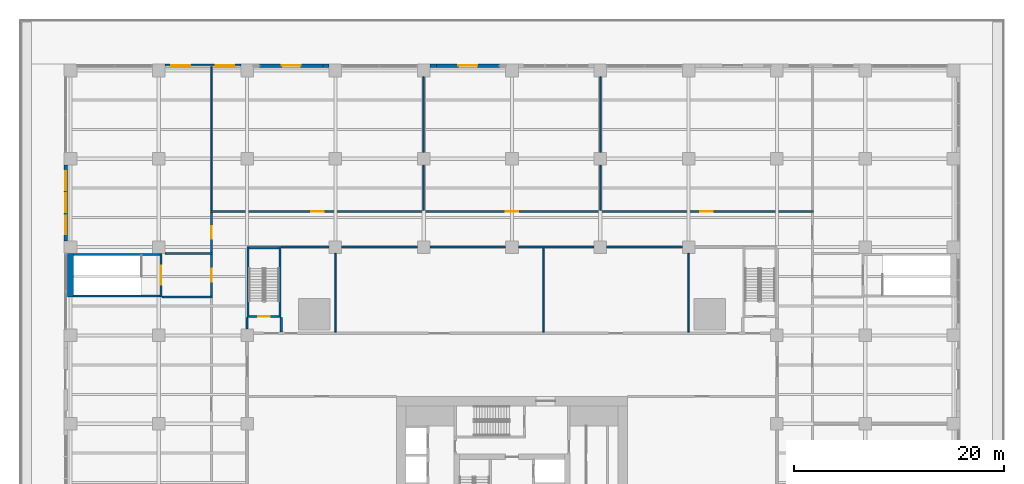
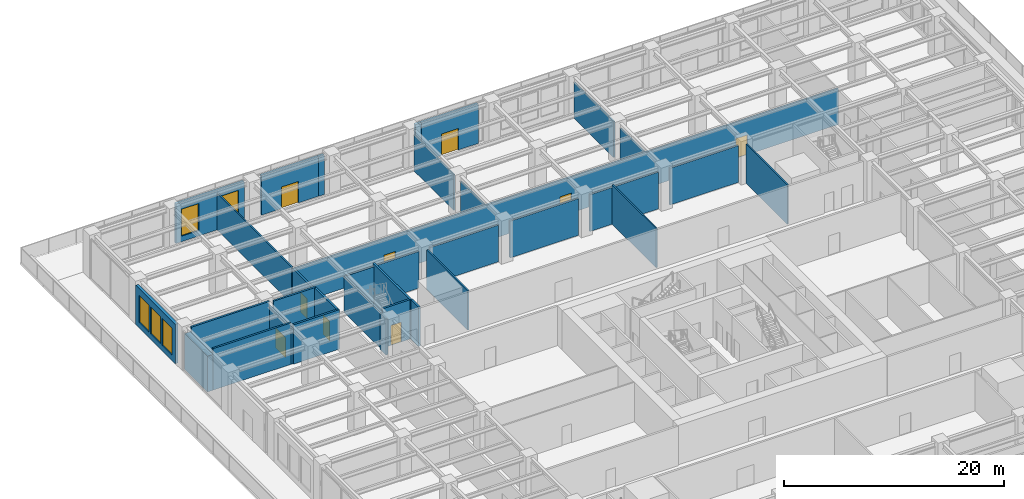
# One storey, part 43 of 53: 34 walls, 9 doors, 5 windows, 14 openings.
"""IFC4 building model written with IfcOpenShell, lengths in metres."""

from ifc_helpers import new_model, si_unit, direction, frame, frame_2d, origin, place, context, subcontext, project, spatial, rectangle, extrude, material, layer, layer_set, type_object, element, fill, save


model = new_model("IFC4")

# Units and contexts
model_context = context("Model", 3, precision=1e-05, world=origin(), true_north=direction((0.0, 1.0)))
body_context = subcontext(model_context, "Body", "Model", "MODEL_VIEW")
ifc_project = project(units=[si_unit("LENGTHUNIT", "METRE"), si_unit("AREAUNIT", "SQUARE_METRE"), si_unit("VOLUMEUNIT", "CUBIC_METRE"), si_unit("PLANEANGLEUNIT", "RADIAN"), si_unit("MASSUNIT", "GRAM", prefix="KILO")], contexts=[model_context])

# Site, building, storey
site_placement = place(None, origin())
site = spatial("IfcSite", under=ifc_project, at=site_placement, CompositionType="ELEMENT")
building_placement = place(site_placement, origin())
building = spatial("IfcBuilding", under=site, at=building_placement, Name="Khepri Terraces", CompositionType="ELEMENT")
storey_placement = place(building_placement, frame((0.0, 0.0, 7.199951171875)))
storey = spatial("IfcBuildingStorey", under=building, at=storey_placement, Name="L01", CompositionType="ELEMENT", Elevation=7.199951171875)

# Wall, opening, door
ifc_material_1 = material(Name="Precast concrete C50/60 warm stone", Category="masonry")
ifc_layer_1 = layer(ifc_material_1, 0.300048828125, Name="Precast concrete C50/60 warm stone", Category="masonry")
ifc_layer_set_1 = layer_set([ifc_layer_1], Name="Precast concrete C50/60 warm stone")
wall_type_1 = type_object("IfcWallType", Name="WL-EXT-PRECAST-300", PredefinedType="STANDARD", material=ifc_layer_set_1)
wall_1_placement = place(storey_placement, frame((-1.199951171875, 42.449951171875, 0.0), z_axis=(0.0, 0.0, 1.0), x_axis=(-1.0, 0.0, 0.0)))
wall_1 = element("IfcWall", 1, at=wall_1_placement, inside=storey, type_object=wall_type_1, Name="External wall L01 N", PredefinedType="STANDARD", context=body_context, shape_type="SweptSolid", body=[
    extrude(rectangle(XDim=6.0, YDim=0.300048828125, at=frame_2d((3.0, 0.0))), origin(), (0.0, 0.0, 1.0), 4.380126953125),
])
opening_1_placement = place(wall_1_placement, frame((2.10009765625, 0.0, 0.0)))
opening_1 = element("IfcOpeningElement", 2, at=opening_1_placement, cuts=wall_1, Name="Opening ED-L01-09", PredefinedType="OPENING", context=body_context, shape_type="SweptSolid", body=[
    extrude(rectangle(XDim=1.800048828125, YDim=2.39990234375, at=frame_2d((0.89990234375, 1.199951171875))), frame((0.0, 0.16015625, 0.0), z_axis=(0.0, -1.0, 0.0), x_axis=(1.0, 0.0, 0.0)), (0.0, 0.0, 1.0), 0.320068359375),
])
ifc_material_2 = material(Name="Anodised aluminium bronze glazed door", Category="aluminium")
door_type_1 = type_object("IfcDoorType", Name="DR-BAL-SLIDE-1800x2400", OperationType="NOTDEFINED", PredefinedType="DOOR", material=ifc_material_2)
door_1_placement = place(opening_1_placement, origin())
door_1 = element("IfcDoor", 3, at=door_1_placement, inside=storey, type_object=door_type_1, Name="Balcony door L01 N", OperationType="SLIDING_TO_LEFT", OverallHeight=2.39990234375, OverallWidth=1.800048828125, PredefinedType="DOOR", context=body_context, shape_type="SweptSolid", body=[
    extrude(rectangle(XDim=1.800048828125, YDim=2.39990234375, at=frame_2d((0.89990234375, 1.199951171875))), frame((0.0, 0.02490234375, 0.0), z_axis=(0.0, -1.0, 0.0), x_axis=(1.0, 0.0, 0.0)), (0.0, 0.0, 1.0), 0.050048828125),
])
fill(opening_1, door_1)

# Walls
for number, where, z_axis, x_axis, name in (
    (4, (-7.199951171875, 42.449951171875, 0.0), (0.0, 0.0, 1.0), (-1.0, 0.0, 0.0), "External wall L01 N"),
    (5, (-17.39990234375, 42.449951171875, 0.0), (0.0, 0.0, 1.0), (-1.0, 0.0, 0.0), "External wall L01 N"),
):
    element("IfcWall", number, at=place(storey_placement, frame(where, z_axis=z_axis, x_axis=x_axis)), inside=storey, type_object=wall_type_1, Name=name, PredefinedType="STANDARD", context=body_context, shape_type="SweptSolid", body=[
        extrude(rectangle(XDim=0.60009765625, YDim=0.300048828125, at=frame_2d((0.300048828125, 0.0))), origin(), (0.0, 0.0, 1.0), 4.380126953125),
    ])

# Wall, opening, door
wall_2_placement = place(storey_placement, frame((-18.0, 42.449951171875, 0.0), z_axis=(0.0, 0.0, 1.0), x_axis=(-1.0, 0.0, 0.0)))
wall_2 = element("IfcWall", 6, at=wall_2_placement, inside=storey, type_object=wall_type_1, Name="External wall L01 N", PredefinedType="STANDARD", context=body_context, shape_type="SweptSolid", body=[
    extrude(rectangle(XDim=6.0, YDim=0.300048828125, at=frame_2d((3.0, 0.0))), origin(), (0.0, 0.0, 1.0), 4.380126953125),
])
opening_2_placement = place(wall_2_placement, frame((2.10009765625, 0.0, 0.0)))
opening_2 = element("IfcOpeningElement", 7, at=opening_2_placement, cuts=wall_2, Name="Opening ED-L01-10", PredefinedType="OPENING", context=body_context, shape_type="SweptSolid", body=[
    extrude(rectangle(XDim=1.800048828125, YDim=2.39990234375, at=frame_2d((0.89990234375, 1.199951171875))), frame((0.0, 0.16015625, 0.0), z_axis=(0.0, -1.0, 0.0), x_axis=(1.0, 0.0, 0.0)), (0.0, 0.0, 1.0), 0.320068359375),
])
door_2_placement = place(opening_2_placement, origin())
door_2 = element("IfcDoor", 8, at=door_2_placement, inside=storey, type_object=door_type_1, Name="Balcony door L01 N", OperationType="SLIDING_TO_LEFT", OverallHeight=2.39990234375, OverallWidth=1.800048828125, PredefinedType="DOOR", context=body_context, shape_type="SweptSolid", body=[
    extrude(rectangle(XDim=1.800048828125, YDim=2.39990234375, at=frame_2d((0.89990234375, 1.199951171875))), frame((0.0, 0.02490234375, 0.0), z_axis=(0.0, -1.0, 0.0), x_axis=(1.0, 0.0, 0.0)), (0.0, 0.0, 1.0), 0.050048828125),
])
fill(opening_2, door_2)

# Wall, openings, windows
wall_3_placement = place(storey_placement, frame((-25.800048828125, 42.449951171875, 0.0), z_axis=(0.0, 0.0, 1.0), x_axis=(-1.0, 0.0, 0.0)))
wall_3 = element("IfcWall", 9, at=wall_3_placement, inside=storey, type_object=wall_type_1, Name="External wall L01 N", PredefinedType="STANDARD", context=body_context, shape_type="SweptSolid", body=[
    extrude(rectangle(XDim=7.199951171875, YDim=0.300048828125, at=frame_2d((3.60009765625, 0.0))), origin(), (0.0, 0.0, 1.0), 4.380126953125),
])
opening_3_placement = place(wall_3_placement, frame((0.60009765625, 0.0, 0.60009765625)))
opening_3 = element("IfcOpeningElement", 10, at=opening_3_placement, cuts=wall_3, Name="Opening WP1", PredefinedType="OPENING", context=body_context, shape_type="SweptSolid", body=[
    extrude(rectangle(XDim=1.800048828125, YDim=3.0, at=frame_2d((0.89990234375, 1.5))), frame((0.0, 0.16015625, 0.0), z_axis=(0.0, -1.0, 0.0), x_axis=(1.0, 0.0, 0.0)), (0.0, 0.0, 1.0), 0.320068359375),
])
opening_4_placement = place(wall_3_placement, frame((4.800048828125, 0.0, 0.60009765625)))
opening_4 = element("IfcOpeningElement", 11, at=opening_4_placement, cuts=wall_3, Name="Opening WP1", PredefinedType="OPENING", context=body_context, shape_type="SweptSolid", body=[
    extrude(rectangle(XDim=1.800048828125, YDim=3.0, at=frame_2d((0.89990234375, 1.5))), frame((0.0, 0.16015625, 0.0), z_axis=(0.0, -1.0, 0.0), x_axis=(1.0, 0.0, 0.0)), (0.0, 0.0, 1.0), 0.320068359375),
])
ifc_material_3 = material(Name="Clear glass", Category="glass")
window_type = type_object("IfcWindowType", Name="WIN-POD-1800x3000", PartitioningType="SINGLE_PANEL", PredefinedType="WINDOW", material=ifc_material_3)
window_1_placement = place(opening_3_placement, origin())
window_1 = element("IfcWindow", 12, at=window_1_placement, inside=storey, type_object=window_type, Name="Window L01 N", OverallHeight=3.0, OverallWidth=1.800048828125, PartitioningType="SINGLE_PANEL", PredefinedType="WINDOW", context=body_context, shape_type="SweptSolid", body=[
    extrude(rectangle(XDim=1.800048828125, YDim=3.0, at=frame_2d((0.89990234375, 1.5))), frame((0.0, 0.030029296875, 0.0), z_axis=(0.0, -1.0, 0.0), x_axis=(1.0, 0.0, 0.0)), (0.0, 0.0, 1.0), 0.06005859375),
])
fill(opening_3, window_1)
window_2_placement = place(opening_4_placement, origin())
window_2 = element("IfcWindow", 13, at=window_2_placement, inside=storey, type_object=window_type, Name="Window L01 N", OverallHeight=3.0, OverallWidth=1.800048828125, PartitioningType="SINGLE_PANEL", PredefinedType="WINDOW", context=body_context, shape_type="SweptSolid", body=[
    extrude(rectangle(XDim=1.800048828125, YDim=3.0, at=frame_2d((0.89990234375, 1.5))), frame((0.0, 0.030029296875, 0.0), z_axis=(0.0, -1.0, 0.0), x_axis=(1.0, 0.0, 0.0)), (0.0, 0.0, 1.0), 0.06005859375),
])
fill(opening_4, window_2)

wall_4_placement = place(storey_placement, frame((-42.449951171875, 33.0, 0.0), z_axis=(0.0, 0.0, 1.0), x_axis=(0.0, -1.0, 0.0)))
wall_4 = element("IfcWall", 14, at=wall_4_placement, inside=storey, type_object=wall_type_1, Name="External wall L01 W", PredefinedType="STANDARD", context=body_context, shape_type="SweptSolid", body=[
    extrude(rectangle(XDim=7.199951171875, YDim=0.300048828125, at=frame_2d((3.60009765625, 0.0))), origin(), (0.0, 0.0, 1.0), 4.380126953125),
])
opening_5_placement = place(wall_4_placement, frame((0.60009765625, 0.0, 0.60009765625)))
opening_5 = element("IfcOpeningElement", 15, at=opening_5_placement, cuts=wall_4, Name="Opening WP1", PredefinedType="OPENING", context=body_context, shape_type="SweptSolid", body=[
    extrude(rectangle(XDim=1.800048828125, YDim=3.0, at=frame_2d((0.89990234375, 1.5))), frame((0.0, 0.16015625, 0.0), z_axis=(0.0, -1.0, 0.0), x_axis=(1.0, 0.0, 0.0)), (0.0, 0.0, 1.0), 0.320068359375),
])
opening_6_placement = place(wall_4_placement, frame((2.699951171875, 0.0, 0.60009765625)))
opening_6 = element("IfcOpeningElement", 16, at=opening_6_placement, cuts=wall_4, Name="Opening WP1", PredefinedType="OPENING", context=body_context, shape_type="SweptSolid", body=[
    extrude(rectangle(XDim=1.800048828125, YDim=3.0, at=frame_2d((0.89990234375, 1.5))), frame((0.0, 0.16015625, 0.0), z_axis=(0.0, -1.0, 0.0), x_axis=(1.0, 0.0, 0.0)), (0.0, 0.0, 1.0), 0.320068359375),
])
opening_7_placement = place(wall_4_placement, frame((4.800048828125, 0.0, 0.60009765625)))
opening_7 = element("IfcOpeningElement", 17, at=opening_7_placement, cuts=wall_4, Name="Opening WP1", PredefinedType="OPENING", context=body_context, shape_type="SweptSolid", body=[
    extrude(rectangle(XDim=1.800048828125, YDim=3.0, at=frame_2d((0.89990234375, 1.5))), frame((0.0, 0.16015625, 0.0), z_axis=(0.0, -1.0, 0.0), x_axis=(1.0, 0.0, 0.0)), (0.0, 0.0, 1.0), 0.320068359375),
])
window_3_placement = place(opening_5_placement, origin())
window_3 = element("IfcWindow", 18, at=window_3_placement, inside=storey, type_object=window_type, Name="Window L01 W", OverallHeight=3.0, OverallWidth=1.800048828125, PartitioningType="SINGLE_PANEL", PredefinedType="WINDOW", context=body_context, shape_type="SweptSolid", body=[
    extrude(rectangle(XDim=1.800048828125, YDim=3.0, at=frame_2d((0.89990234375, 1.5))), frame((0.0, 0.030029296875, 0.0), z_axis=(0.0, -1.0, 0.0), x_axis=(1.0, 0.0, 0.0)), (0.0, 0.0, 1.0), 0.06005859375),
])
fill(opening_5, window_3)
window_4_placement = place(opening_6_placement, origin())
window_4 = element("IfcWindow", 19, at=window_4_placement, inside=storey, type_object=window_type, Name="Window L01 W", OverallHeight=3.0, OverallWidth=1.800048828125, PartitioningType="SINGLE_PANEL", PredefinedType="WINDOW", context=body_context, shape_type="SweptSolid", body=[
    extrude(rectangle(XDim=1.800048828125, YDim=3.0, at=frame_2d((0.89990234375, 1.5))), frame((0.0, 0.030029296875, 0.0), z_axis=(0.0, -1.0, 0.0), x_axis=(1.0, 0.0, 0.0)), (0.0, 0.0, 1.0), 0.06005859375),
])
fill(opening_6, window_4)
window_5_placement = place(opening_7_placement, origin())
window_5 = element("IfcWindow", 20, at=window_5_placement, inside=storey, type_object=window_type, Name="Window L01 W", OverallHeight=3.0, OverallWidth=1.800048828125, PartitioningType="SINGLE_PANEL", PredefinedType="WINDOW", context=body_context, shape_type="SweptSolid", body=[
    extrude(rectangle(XDim=1.800048828125, YDim=3.0, at=frame_2d((0.89990234375, 1.5))), frame((0.0, 0.030029296875, 0.0), z_axis=(0.0, -1.0, 0.0), x_axis=(1.0, 0.0, 0.0)), (0.0, 0.0, 1.0), 0.06005859375),
])
fill(opening_7, window_5)

# Walls
ifc_material_4 = material(Name="Gypsum board partition")
ifc_layer_2 = layer(ifc_material_4, 0.14990234375, Name="Gypsum board partition")
ifc_layer_set_2 = layer_set([ifc_layer_2], Name="Gypsum board partition")
wall_type_2 = type_object("IfcWallType", Name="WL-POD-150", PredefinedType="PARTITIONING", material=ifc_layer_set_2)
wall_5_placement = place(storey_placement, frame((-28.60009765625, 28.699951171875, 0.0), z_axis=(0.0, 0.0, 1.0), x_axis=(0.0, 1.0, 0.0)))
element("IfcWall", 21, at=wall_5_placement, inside=storey, type_object=wall_type_2, Name="Partition L01-PW045", PredefinedType="PARTITIONING", context=body_context, shape_type="SweptSolid", body=[
    extrude(rectangle(XDim=13.650146484375, YDim=0.14990234375, at=frame_2d((6.8251953125, 0.0))), origin(), (0.0, 0.0, 1.0), 4.080078125),
])
wall_6_placement = place(storey_placement, frame((-16.800048828125, 17.10009765625, 0.0), z_axis=(0.0, 0.0, 1.0), x_axis=(0.0, 1.0, 0.0)))
element("IfcWall", 22, at=wall_6_placement, inside=storey, type_object=wall_type_2, Name="Partition L01-PW055", PredefinedType="PARTITIONING", context=body_context, shape_type="SweptSolid", body=[
    extrude(rectangle(XDim=7.5, YDim=0.14990234375, at=frame_2d((3.75, 0.0))), origin(), (0.0, 0.0, 1.0), 4.380126953125),
])
wall_7_placement = place(storey_placement, frame((-8.39990234375, 28.699951171875, 0.0), z_axis=(0.0, 0.0, 1.0), x_axis=(0.0, 1.0, 0.0)))
element("IfcWall", 23, at=wall_7_placement, inside=storey, type_object=wall_type_2, Name="Partition L01-PW058", PredefinedType="PARTITIONING", context=body_context, shape_type="SweptSolid", body=[
    extrude(rectangle(XDim=4.300048828125, YDim=0.14990234375, at=frame_2d((2.14990234375, 0.0))), origin(), (0.0, 0.0, 1.0), 3.97998046875),
])
wall_8_placement = place(storey_placement, frame((-8.39990234375, 34.199951171875, 0.0), z_axis=(0.0, 0.0, 1.0), x_axis=(0.0, 1.0, 0.0)))
element("IfcWall", 24, at=wall_8_placement, inside=storey, type_object=wall_type_2, Name="Partition L01-PW059", PredefinedType="PARTITIONING", context=body_context, shape_type="SweptSolid", body=[
    extrude(rectangle(XDim=7.199951171875, YDim=0.14990234375, at=frame_2d((3.60009765625, 0.0))), origin(), (0.0, 0.0, 1.0), 3.97998046875),
])
wall_9_placement = place(storey_placement, frame((3.0, 17.10009765625, 0.0), z_axis=(0.0, 0.0, 1.0), x_axis=(0.0, 1.0, 0.0)))
element("IfcWall", 25, at=wall_9_placement, inside=storey, type_object=wall_type_2, Name="Partition L01-PW061", PredefinedType="PARTITIONING", context=body_context, shape_type="SweptSolid", body=[
    extrude(rectangle(XDim=8.0, YDim=0.14990234375, at=frame_2d((4.0, 0.0))), origin(), (0.0, 0.0, 1.0), 4.380126953125),
])
wall_10_placement = place(storey_placement, frame((8.39990234375, 28.699951171875, 0.0), z_axis=(0.0, 0.0, 1.0), x_axis=(0.0, 1.0, 0.0)))
element("IfcWall", 26, at=wall_10_placement, inside=storey, type_object=wall_type_2, Name="Partition L01-PW064", PredefinedType="PARTITIONING", context=body_context, shape_type="SweptSolid", body=[
    extrude(rectangle(XDim=4.300048828125, YDim=0.14990234375, at=frame_2d((2.14990234375, 0.0))), origin(), (0.0, 0.0, 1.0), 3.97998046875),
])
wall_11_placement = place(storey_placement, frame((8.39990234375, 34.199951171875, 0.0), z_axis=(0.0, 0.0, 1.0), x_axis=(0.0, 1.0, 0.0)))
element("IfcWall", 27, at=wall_11_placement, inside=storey, type_object=wall_type_2, Name="Partition L01-PW065", PredefinedType="PARTITIONING", context=body_context, shape_type="SweptSolid", body=[
    extrude(rectangle(XDim=7.199951171875, YDim=0.14990234375, at=frame_2d((3.60009765625, 0.0))), origin(), (0.0, 0.0, 1.0), 3.97998046875),
])
wall_12_placement = place(storey_placement, frame((16.800048828125, 17.10009765625, 0.0), z_axis=(0.0, 0.0, 1.0), x_axis=(0.0, 1.0, 0.0)))
element("IfcWall", 28, at=wall_12_placement, inside=storey, type_object=wall_type_2, Name="Partition L01-PW068", PredefinedType="PARTITIONING", context=body_context, shape_type="SweptSolid", body=[
    extrude(rectangle(XDim=7.5, YDim=0.14990234375, at=frame_2d((3.75, 0.0))), origin(), (0.0, 0.0, 1.0), 4.380126953125),
])
ifc_material_5 = material(Name="Fire-rated block wall")
ifc_layer_3 = layer(ifc_material_5, 0.199951171875, Name="Fire-rated block wall")
ifc_layer_set_3 = layer_set([ifc_layer_3], Name="Fire-rated block wall")
wall_type_3 = type_object("IfcWallType", Name="WL-POD-200-EI120", PredefinedType="PARTITIONING", material=ifc_layer_set_3)
wall_13_placement = place(storey_placement, frame((-33.300048828125, 20.449951171875, 0.0), z_axis=(0.0, 0.0, 1.0), x_axis=(1.0, 0.0, 0.0)))
element("IfcWall", 29, at=wall_13_placement, inside=storey, type_object=wall_type_3, Name="Partition L01-PW028", PredefinedType="PARTITIONING", context=body_context, shape_type="SweptSolid", body=[
    extrude(rectangle(XDim=4.800048828125, YDim=0.199951171875, at=frame_2d((2.39990234375, 0.0))), origin(), (0.0, 0.0, 1.0), 4.380126953125),
])
wall_14_placement = place(storey_placement, frame((-33.0, 24.60009765625, 0.0), z_axis=(0.0, 0.0, 1.0), x_axis=(1.0, 0.0, 0.0)))
element("IfcWall", 30, at=wall_14_placement, inside=storey, type_object=wall_type_3, Name="Partition L01-PW030", PredefinedType="PARTITIONING", context=body_context, shape_type="SweptSolid", body=[
    extrude(rectangle(XDim=4.5, YDim=0.199951171875, at=frame_2d((2.25, 0.0))), origin(), (0.0, 0.0, 1.0), 4.380126953125),
])

# Wall, opening, door
wall_15_placement = place(storey_placement, frame((-28.60009765625, 20.550048828125, 0.0), z_axis=(0.0, 0.0, 1.0), x_axis=(0.0, 1.0, 0.0)))
wall_15 = element("IfcWall", 31, at=wall_15_placement, inside=storey, type_object=wall_type_3, Name="Partition L01-PW043", PredefinedType="PARTITIONING", context=body_context, shape_type="SweptSolid", body=[
    extrude(rectangle(XDim=3.949951171875, YDim=0.199951171875, at=frame_2d((1.97509765625, 0.0))), origin(), (0.0, 0.0, 1.0), 4.380126953125),
])
opening_8_placement = place(wall_15_placement, frame((1.375, 0.0, 0.0)))
opening_8 = element("IfcOpeningElement", 32, at=opening_8_placement, cuts=wall_15, Name="Opening L01-P38", PredefinedType="OPENING", context=body_context, shape_type="SweptSolid", body=[
    extrude(rectangle(XDim=1.199951171875, YDim=2.199951171875, at=frame_2d((0.60009765625, 1.10009765625))), frame((0.0, 0.10986328125, 0.0), z_axis=(0.0, -1.0, 0.0), x_axis=(1.0, 0.0, 0.0)), (0.0, 0.0, 1.0), 0.219970703125),
])
ifc_material_6 = material(Name="Painted steel", Category="steel")
door_type_2 = type_object("IfcDoorType", Name="DR-POD-FIRE-1200", OperationType="NOTDEFINED", PredefinedType="DOOR", material=ifc_material_6)
door_3_placement = place(opening_8_placement, origin())
door_3 = element("IfcDoor", 33, at=door_3_placement, inside=storey, type_object=door_type_2, Name="Fire door L01-P38", OperationType="SINGLE_SWING_LEFT", OverallHeight=2.199951171875, OverallWidth=1.199951171875, PredefinedType="DOOR", context=body_context, shape_type="SweptSolid", body=[
    extrude(rectangle(XDim=1.199951171875, YDim=2.199951171875, at=frame_2d((0.60009765625, 1.10009765625))), frame((0.0, 0.02490234375, 0.0), z_axis=(0.0, -1.0, 0.0), x_axis=(1.0, 0.0, 0.0)), (0.0, 0.0, 1.0), 0.050048828125),
])
fill(opening_8, door_3)

# Walls
ifc_layer_4 = layer(ifc_material_5, 0.199951171875, Name="Fire-rated block wall")
ifc_layer_set_4 = layer_set([ifc_layer_4], Name="Fire-rated block wall")
wall_type_4 = type_object("IfcWallType", Name="WL-POD-200-EI60", PredefinedType="PARTITIONING", material=ifc_layer_set_4)
wall_16_placement = place(storey_placement, frame((-21.949951171875, 25.199951171875, 0.0), z_axis=(0.0, 0.0, 1.0), x_axis=(1.0, 0.0, 0.0)))
element("IfcWall", 34, at=wall_16_placement, inside=storey, type_object=wall_type_4, Name="Partition L01-PW032", PredefinedType="PARTITIONING", context=body_context, shape_type="SweptSolid", body=[
    extrude(rectangle(XDim=4.550048828125, YDim=0.199951171875, at=frame_2d((2.27490234375, 0.0))), origin(), (0.0, 0.0, 1.0), 4.080078125),
])
for number, where, z_axis, x_axis, name in (
    (35, (-16.199951171875, 25.199951171875, 0.0), (0.0, 0.0, 1.0), (1.0, 0.0, 0.0), "Partition L01-PW033"),
    (36, (-7.800048828125, 25.199951171875, 0.0), (0.0, 0.0, 1.0), (1.0, 0.0, 0.0), "Partition L01-PW034"),
    (37, (0.60009765625, 25.199951171875, 0.0), (0.0, 0.0, 1.0), (1.0, 0.0, 0.0), "Partition L01-PW035"),
    (38, (9.0, 25.199951171875, 0.0), (0.0, 0.0, 1.0), (1.0, 0.0, 0.0), "Partition L01-PW036"),
):
    element("IfcWall", number, at=place(storey_placement, frame(where, z_axis=z_axis, x_axis=x_axis)), inside=storey, type_object=wall_type_4, Name=name, PredefinedType="PARTITIONING", context=body_context, shape_type="SweptSolid", body=[
        extrude(rectangle(XDim=7.199951171875, YDim=0.199951171875, at=frame_2d((3.60009765625, 0.0))), origin(), (0.0, 0.0, 1.0), 4.080078125),
    ])

# Wall, openings, doors
wall_17_placement = place(storey_placement, frame((-28.699951171875, 28.60009765625, 0.0), z_axis=(0.0, 0.0, 1.0), x_axis=(1.0, 0.0, 0.0)))
wall_17 = element("IfcWall", 39, at=wall_17_placement, inside=storey, type_object=wall_type_4, Name="Partition L01-PW038", PredefinedType="PARTITIONING", context=body_context, shape_type="SweptSolid", body=[
    extrude(rectangle(XDim=57.39990234375, YDim=0.199951171875, at=frame_2d((28.699951171875, 0.0))), origin(), (0.0, 0.0, 1.0), 3.97998046875),
])
opening_9_placement = place(wall_17_placement, frame((9.60009765625, 0.0, 0.0)))
opening_9 = element("IfcOpeningElement", 40, at=opening_9_placement, cuts=wall_17, Name="Opening L01-P42", PredefinedType="OPENING", context=body_context, shape_type="SweptSolid", body=[
    extrude(rectangle(XDim=1.199951171875, YDim=2.199951171875, at=frame_2d((0.60009765625, 1.10009765625))), frame((0.0, 0.10986328125, 0.0), z_axis=(0.0, -1.0, 0.0), x_axis=(1.0, 0.0, 0.0)), (0.0, 0.0, 1.0), 0.219970703125),
])
opening_10_placement = place(wall_17_placement, frame((28.10009765625, 0.0, 0.0)))
opening_10 = element("IfcOpeningElement", 41, at=opening_10_placement, cuts=wall_17, Name="Opening L01-P43", PredefinedType="OPENING", context=body_context, shape_type="SweptSolid", body=[
    extrude(rectangle(XDim=1.199951171875, YDim=2.199951171875, at=frame_2d((0.60009765625, 1.10009765625))), frame((0.0, 0.10986328125, 0.0), z_axis=(0.0, -1.0, 0.0), x_axis=(1.0, 0.0, 0.0)), (0.0, 0.0, 1.0), 0.219970703125),
])
opening_11_placement = place(wall_17_placement, frame((46.60009765625, 0.0, 0.0)))
opening_11 = element("IfcOpeningElement", 42, at=opening_11_placement, cuts=wall_17, Name="Opening L01-P44", PredefinedType="OPENING", context=body_context, shape_type="SweptSolid", body=[
    extrude(rectangle(XDim=1.199951171875, YDim=2.199951171875, at=frame_2d((0.60009765625, 1.10009765625))), frame((0.0, 0.10986328125, 0.0), z_axis=(0.0, -1.0, 0.0), x_axis=(1.0, 0.0, 0.0)), (0.0, 0.0, 1.0), 0.219970703125),
])
ifc_material_7 = material(Name="Timber veneer", Category="wood")
door_type_3 = type_object("IfcDoorType", Name="DR-POD-SINGLE-1200", OperationType="NOTDEFINED", PredefinedType="DOOR", material=ifc_material_7)
door_4_placement = place(opening_9_placement, origin())
door_4 = element("IfcDoor", 43, at=door_4_placement, inside=storey, type_object=door_type_3, Name="Door L01-P42", OperationType="SINGLE_SWING_LEFT", OverallHeight=2.199951171875, OverallWidth=1.199951171875, PredefinedType="DOOR", context=body_context, shape_type="SweptSolid", body=[
    extrude(rectangle(XDim=1.199951171875, YDim=2.199951171875, at=frame_2d((0.60009765625, 1.10009765625))), frame((0.0, 0.02490234375, 0.0), z_axis=(0.0, -1.0, 0.0), x_axis=(1.0, 0.0, 0.0)), (0.0, 0.0, 1.0), 0.050048828125),
])
fill(opening_9, door_4)
door_5_placement = place(opening_10_placement, origin())
door_5 = element("IfcDoor", 44, at=door_5_placement, inside=storey, type_object=door_type_3, Name="Door L01-P43", OperationType="SINGLE_SWING_LEFT", OverallHeight=2.199951171875, OverallWidth=1.199951171875, PredefinedType="DOOR", context=body_context, shape_type="SweptSolid", body=[
    extrude(rectangle(XDim=1.199951171875, YDim=2.199951171875, at=frame_2d((0.60009765625, 1.10009765625))), frame((0.0, 0.02490234375, 0.0), z_axis=(0.0, -1.0, 0.0), x_axis=(1.0, 0.0, 0.0)), (0.0, 0.0, 1.0), 0.050048828125),
])
fill(opening_10, door_5)
door_6_placement = place(opening_11_placement, origin())
door_6 = element("IfcDoor", 45, at=door_6_placement, inside=storey, type_object=door_type_3, Name="Door L01-P44", OperationType="SINGLE_SWING_RIGHT", OverallHeight=2.199951171875, OverallWidth=1.199951171875, PredefinedType="DOOR", context=body_context, shape_type="SweptSolid", body=[
    extrude(rectangle(XDim=1.199951171875, YDim=2.199951171875, at=frame_2d((0.60009765625, 1.10009765625))), frame((0.0, 0.02490234375, 0.0), z_axis=(0.0, -1.0, 0.0), x_axis=(1.0, 0.0, 0.0)), (0.0, 0.0, 1.0), 0.050048828125),
])
fill(opening_11, door_6)

# Wall, opening, door
wall_18_placement = place(storey_placement, frame((-28.60009765625, 24.699951171875, 0.0), z_axis=(0.0, 0.0, 1.0), x_axis=(0.0, 1.0, 0.0)))
wall_18 = element("IfcWall", 46, at=wall_18_placement, inside=storey, type_object=wall_type_4, Name="Partition L01-PW044", PredefinedType="PARTITIONING", context=body_context, shape_type="SweptSolid", body=[
    extrude(rectangle(XDim=3.800048828125, YDim=0.199951171875, at=frame_2d((1.89990234375, 0.0))), origin(), (0.0, 0.0, 1.0), 4.080078125),
])
opening_12_placement = place(wall_18_placement, frame((1.300048828125, 0.0, 0.0)))
opening_12 = element("IfcOpeningElement", 47, at=opening_12_placement, cuts=wall_18, Name="Opening L01-P40", PredefinedType="OPENING", context=body_context, shape_type="SweptSolid", body=[
    extrude(rectangle(XDim=1.199951171875, YDim=2.199951171875, at=frame_2d((0.60009765625, 1.10009765625))), frame((0.0, 0.10986328125, 0.0), z_axis=(0.0, -1.0, 0.0), x_axis=(1.0, 0.0, 0.0)), (0.0, 0.0, 1.0), 0.219970703125),
])
door_7_placement = place(opening_12_placement, origin())
door_7 = element("IfcDoor", 48, at=door_7_placement, inside=storey, type_object=door_type_3, Name="Door L01-P40", OperationType="SINGLE_SWING_LEFT", OverallHeight=2.199951171875, OverallWidth=1.199951171875, PredefinedType="DOOR", context=body_context, shape_type="SweptSolid", body=[
    extrude(rectangle(XDim=1.199951171875, YDim=2.199951171875, at=frame_2d((0.60009765625, 1.10009765625))), frame((0.0, 0.02490234375, 0.0), z_axis=(0.0, -1.0, 0.0), x_axis=(1.0, 0.0, 0.0)), (0.0, 0.0, 1.0), 0.050048828125),
])
fill(opening_12, door_7)

# Walls
wall_19_placement = place(storey_placement, frame((-25.199951171875, 17.39990234375, 0.0), z_axis=(0.0, 0.0, 1.0), x_axis=(0.0, 1.0, 0.0)))
element("IfcWall", 49, at=wall_19_placement, inside=storey, type_object=wall_type_4, Name="Partition L01-PW051", PredefinedType="PARTITIONING", context=body_context, shape_type="SweptSolid", body=[
    extrude(rectangle(XDim=1.10009765625, YDim=0.199951171875, at=frame_2d((0.550048828125, 0.0))), origin(), (0.0, 0.0, 1.0), 3.97998046875),
])
wall_20_placement = place(storey_placement, frame((-21.949951171875, 17.10009765625, 0.0), z_axis=(0.0, 0.0, 1.0), x_axis=(0.0, 1.0, 0.0)))
element("IfcWall", 50, at=wall_20_placement, inside=storey, type_object=wall_type_4, Name="Partition L01-PW053", PredefinedType="PARTITIONING", context=body_context, shape_type="SweptSolid", body=[
    extrude(rectangle(XDim=1.39990234375, YDim=0.199951171875, at=frame_2d((0.699951171875, 0.0))), origin(), (0.0, 0.0, 1.0), 4.380126953125),
])
ifc_material_8 = material(Name="Concrete C40/50", Category="concrete")
ifc_layer_5 = layer(ifc_material_8, 0.199951171875, Name="Concrete C40/50", Category="concrete")
ifc_layer_set_5 = layer_set([ifc_layer_5], Name="Concrete C40/50")
wall_type_5 = type_object("IfcWallType", Name="WL-POD-STAIR-200", PredefinedType="SOLIDWALL", material=ifc_layer_set_5)
wall_21_placement = place(storey_placement, frame((-25.10009765625, 18.5, 0.0), z_axis=(0.0, 0.0, 1.0), x_axis=(0.0, 1.0, 0.0)))
element("IfcWall", 51, at=wall_21_placement, inside=storey, type_object=wall_type_5, Name="Stair enclosure PS-2 L01-W", PredefinedType="SOLIDWALL", context=body_context, shape_type="SweptSolid", body=[
    extrude(rectangle(XDim=6.739990234375, YDim=0.199951171875, at=frame_2d((3.3701171875, 0.0))), origin(), (0.0, 0.0, 1.0), 3.97998046875),
])
wall_22_placement = place(storey_placement, frame((-22.050048828125, 18.5, 0.0), z_axis=(0.0, 0.0, 1.0), x_axis=(0.0, 1.0, 0.0)))
element("IfcWall", 52, at=wall_22_placement, inside=storey, type_object=wall_type_5, Name="Stair enclosure PS-2 L01-E", PredefinedType="SOLIDWALL", context=body_context, shape_type="SweptSolid", body=[
    extrude(rectangle(XDim=6.739990234375, YDim=0.199951171875, at=frame_2d((3.3701171875, 0.0))), origin(), (0.0, 0.0, 1.0), 4.380126953125),
])

# Wall, opening, door
wall_23_placement = place(storey_placement, frame((-25.0, 18.60009765625, 0.0), z_axis=(0.0, 0.0, 1.0), x_axis=(1.0, 0.0, 0.0)))
wall_23 = element("IfcWall", 53, at=wall_23_placement, inside=storey, type_object=wall_type_5, Name="Stair enclosure PS-2 L01-S", PredefinedType="SOLIDWALL", context=body_context, shape_type="SweptSolid", body=[
    extrude(rectangle(XDim=2.85009765625, YDim=0.199951171875, at=frame_2d((1.425048828125, 0.0))), origin(), (0.0, 0.0, 1.0), 4.380126953125),
])
opening_13_placement = place(wall_23_placement, frame((0.875, 0.0, 0.0)))
opening_13 = element("IfcOpeningElement", 54, at=opening_13_placement, cuts=wall_23, Name="Opening L01-PS-2D", PredefinedType="OPENING", context=body_context, shape_type="SweptSolid", body=[
    extrude(rectangle(XDim=1.10009765625, YDim=2.199951171875, at=frame_2d((0.550048828125, 1.10009765625))), frame((0.0, 0.10986328125, 0.0), z_axis=(0.0, -1.0, 0.0), x_axis=(1.0, 0.0, 0.0)), (0.0, 0.0, 1.0), 0.219970703125),
])
door_type_4 = type_object("IfcDoorType", Name="DR-POD-STAIR-1100", OperationType="NOTDEFINED", PredefinedType="DOOR", material=ifc_material_6)
door_8_placement = place(opening_13_placement, origin())
door_8 = element("IfcDoor", 55, at=door_8_placement, inside=storey, type_object=door_type_4, Name="Stair door L01-PS-2D", OperationType="SINGLE_SWING_LEFT", OverallHeight=2.199951171875, OverallWidth=1.10009765625, PredefinedType="DOOR", context=body_context, shape_type="SweptSolid", body=[
    extrude(rectangle(XDim=1.10009765625, YDim=2.199951171875, at=frame_2d((0.550048828125, 1.10009765625))), frame((0.0, 0.02490234375, 0.0), z_axis=(0.0, -1.0, 0.0), x_axis=(1.0, 0.0, 0.0)), (0.0, 0.0, 1.0), 0.050048828125),
])
fill(opening_13, door_8)

# Wall
wall_24_placement = place(storey_placement, frame((-25.0, 25.139892578125, 0.0), z_axis=(0.0, 0.0, 1.0), x_axis=(1.0, 0.0, 0.0)))
element("IfcWall", 56, at=wall_24_placement, inside=storey, type_object=wall_type_5, Name="Stair enclosure PS-2 L01-N", PredefinedType="SOLIDWALL", context=body_context, shape_type="SweptSolid", body=[
    extrude(rectangle(XDim=2.85009765625, YDim=0.199951171875, at=frame_2d((1.425048828125, 0.0))), origin(), (0.0, 0.0, 1.0), 4.080078125),
])

# Wall, opening, door
wall_25_placement = place(storey_placement, frame((-33.39990234375, 20.449951171875, 0.0), z_axis=(0.0, 0.0, 1.0), x_axis=(0.0, 1.0, 0.0)))
wall_25 = element("IfcWall", 57, at=wall_25_placement, inside=storey, type_object=wall_type_5, Name="Stair enclosure PS-5 L01-E", PredefinedType="SOLIDWALL", context=body_context, shape_type="SweptSolid", body=[
    extrude(rectangle(XDim=4.150146484375, YDim=0.199951171875, at=frame_2d((2.0751953125, 0.0))), origin(), (0.0, 0.0, 1.0), 3.97998046875),
])
opening_14_placement = place(wall_25_placement, frame((1.175048828125, 0.0, 0.0)))
opening_14 = element("IfcOpeningElement", 58, at=opening_14_placement, cuts=wall_25, Name="Opening L01-PS-5D", PredefinedType="OPENING", context=body_context, shape_type="SweptSolid", body=[
    extrude(rectangle(XDim=1.800048828125, YDim=2.199951171875, at=frame_2d((0.89990234375, 1.10009765625))), frame((0.0, 0.10986328125, 0.0), z_axis=(0.0, -1.0, 0.0), x_axis=(1.0, 0.0, 0.0)), (0.0, 0.0, 1.0), 0.219970703125),
])
door_type_5 = type_object("IfcDoorType", Name="DR-POD-STAIR-PAIR-1800", OperationType="DOUBLE_DOOR_SINGLE_SWING", PredefinedType="DOOR", material=ifc_material_6)
door_9_placement = place(opening_14_placement, origin())
door_9 = element("IfcDoor", 59, at=door_9_placement, inside=storey, type_object=door_type_5, Name="Stair door L01-PS-5D", OperationType="DOUBLE_DOOR_SINGLE_SWING", OverallHeight=2.199951171875, OverallWidth=1.800048828125, PredefinedType="DOOR", context=body_context, shape_type="SweptSolid", body=[
    extrude(rectangle(XDim=1.800048828125, YDim=2.199951171875, at=frame_2d((0.89990234375, 1.10009765625))), frame((0.0, 0.02490234375, 0.0), z_axis=(0.0, -1.0, 0.0), x_axis=(1.0, 0.0, 0.0)), (0.0, 0.0, 1.0), 0.050048828125),
])
fill(opening_14, door_9)

# Walls
for number, where, z_axis, x_axis, name in (
    (60, (-41.699951171875, 20.550048828125, 0.0), (0.0, 0.0, 1.0), (1.0, 0.0, 0.0), "Stair enclosure PS-5 L01-S"),
    (61, (-41.699951171875, 24.5, 0.0), (0.0, 0.0, 1.0), (1.0, 0.0, 0.0), "Stair enclosure PS-5 L01-N"),
):
    element("IfcWall", number, at=place(storey_placement, frame(where, z_axis=z_axis, x_axis=x_axis)), inside=storey, type_object=wall_type_5, Name=name, PredefinedType="SOLIDWALL", context=body_context, shape_type="SweptSolid", body=[
        extrude(rectangle(XDim=8.199951171875, YDim=0.199951171875, at=frame_2d((4.10009765625, 0.0))), origin(), (0.0, 0.0, 1.0), 4.60009765625),
    ])
ifc_layer_6 = layer(ifc_material_8, 0.60009765625, Name="Concrete C40/50", Category="concrete")
ifc_layer_set_6 = layer_set([ifc_layer_6], Name="Concrete C40/50")
wall_type_6 = type_object("IfcWallType", Name="WL-POD-STAIR-600", PredefinedType="SOLIDWALL", material=ifc_layer_set_6)
wall_26_placement = place(storey_placement, frame((-42.0, 20.449951171875, 0.0), z_axis=(0.0, 0.0, 1.0), x_axis=(0.0, 1.0, 0.0)))
element("IfcWall", 62, at=wall_26_placement, inside=storey, type_object=wall_type_6, Name="Stair enclosure PS-5 L01-W", PredefinedType="SOLIDWALL", context=body_context, shape_type="SweptSolid", body=[
    extrude(rectangle(XDim=4.150146484375, YDim=0.60009765625, at=frame_2d((2.0751953125, 0.0))), origin(), (0.0, 0.0, 1.0), 3.97998046875),
])

save(model, "model.ifc")
